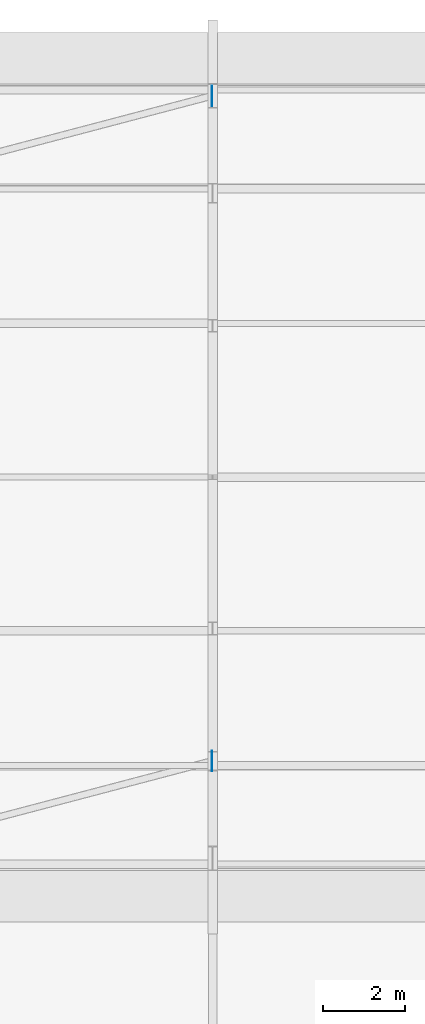
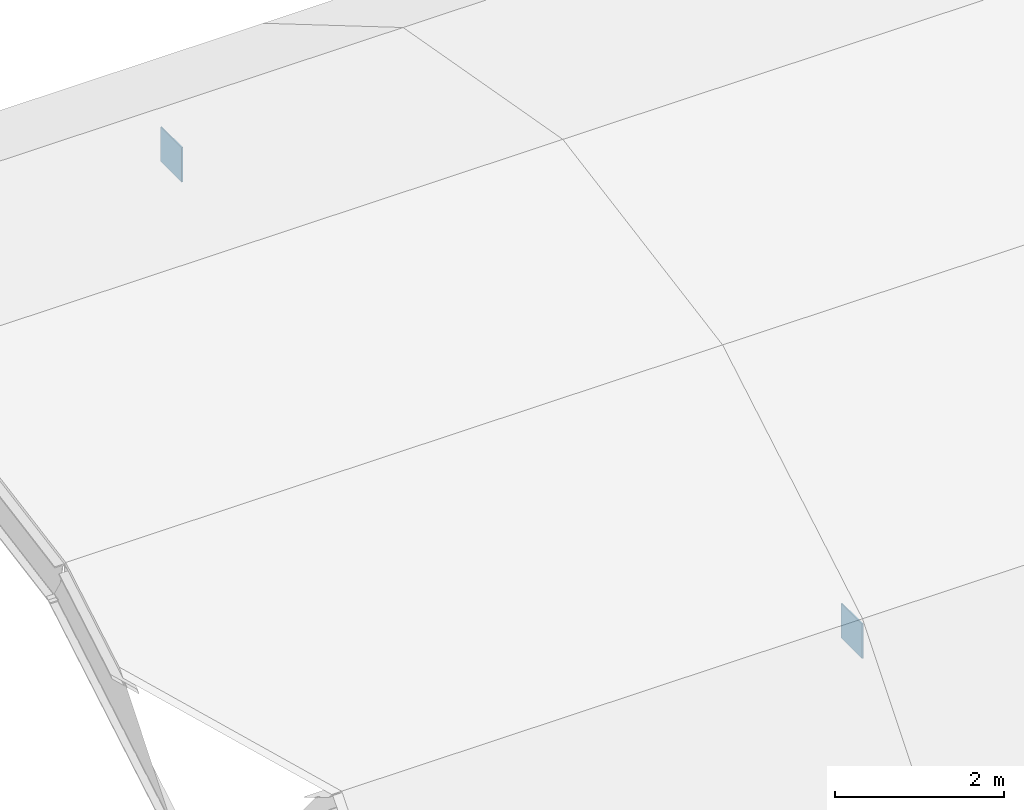
# One storey, part 10 of 15: 2 plates.
"""IFC4 building model written with IfcOpenShell, lengths in metres."""

import ifcopenshell
import ifcopenshell.guid

model = None  # the IFC model being written
_history = None  # IfcOwnerHistory: only IFC2X3 demands one
_inside = {}  # id of a spatial element -> (the spatial element, [elements in it])
_under = {}  # id of a project, library or spatial element -> (it, [spatial elements below it])
_declared = {}  # id of a project -> (the project, [libraries it declares])
_typed = {}  # id of a type object -> (the type object, [elements of that type])
_made_of = {}  # id of a material, layer set ... -> (it, [elements and type objects made of it])


def new_model(schema):
    """Start an empty IFC model of exactly this schema.

    Asked for "IFC4X3", IfcOpenShell would pick the latest addendum, in which some entities
    have other attributes; the version numbers below select the first issue.
    IFC2X3 requires an IfcOwnerHistory on every rooted entity: one is made here for all.
    """
    global model, _history
    if schema == "IFC4X3":
        model = ifcopenshell.file(schema_version=(4, 3, 0, 0))
    else:
        model = ifcopenshell.file(schema=schema)
    _inside.clear()
    _under.clear()
    _declared.clear()
    _typed.clear()
    _made_of.clear()
    _history = None
    if model.schema == "IFC2X3":
        org = make("IfcOrganization", Name="unknown")
        user = make(
            "IfcPersonAndOrganization",
            ThePerson=make("IfcPerson", FamilyName="unknown"),
            TheOrganization=org,
        )
        app = make(
            "IfcApplication",
            ApplicationDeveloper=org,
            Version="unknown",
            ApplicationFullName="unknown",
            ApplicationIdentifier="unknown",
        )
        _history = make(
            "IfcOwnerHistory",
            OwningUser=user,
            OwningApplication=app,
            ChangeAction="ADDED",
            CreationDate=0,
        )
    return model


def make(cls, **values):
    """One entity of the class cls with the attributes given. An attribute that is None is left unset."""
    return model.create_entity(
        cls, **{name: value for name, value in values.items() if value is not None}
    )


def rooted(cls, **values):
    """An entity with a GlobalId (a new one), such as an element, a storey or a relation."""
    return make(cls, GlobalId=ifcopenshell.guid.new(), OwnerHistory=_history, **values)


def si_unit(unit_type, name, prefix=None):
    """IfcSIUnit, for example si_unit("LENGTHUNIT", "METRE", prefix="MILLI")."""
    return make("IfcSIUnit", UnitType=unit_type, Prefix=prefix, Name=name)


def assignment(units):
    """IfcUnitAssignment: the units of a project."""
    return None if units is None else make("IfcUnitAssignment", Units=units)


def point(xyz):
    """IfcCartesianPoint."""
    return None if xyz is None else make("IfcCartesianPoint", Coordinates=xyz)


def direction(xyz):
    """IfcDirection."""
    return None if xyz is None else make("IfcDirection", DirectionRatios=xyz)


def frame(location, z_axis=None, x_axis=None):
    """IfcAxis2Placement3D, a coordinate frame: its origin and axes. An axis left out is left unset."""
    return make(
        "IfcAxis2Placement3D",
        Location=point(location),
        Axis=direction(z_axis),
        RefDirection=direction(x_axis),
    )


def frame_2d(location, x_axis=None):
    """IfcAxis2Placement2D, a coordinate frame in the plane: its origin and x axis."""
    return make(
        "IfcAxis2Placement2D", Location=point(location), RefDirection=direction(x_axis)
    )


def origin():
    """The frame at (0, 0, 0) with its axes left unset."""
    return frame((0.0, 0.0, 0.0))


def origin_2d():
    """The frame at (0, 0) in the plane with its x axis left unset."""
    return frame_2d((0.0, 0.0))


def place(relative_to, where):
    """IfcLocalPlacement: puts the frame where relative to a parent placement (None: the world)."""
    return make(
        "IfcLocalPlacement", PlacementRelTo=relative_to, RelativePlacement=where
    )


def context(
    kind, dimensions, precision=None, world=None, true_north=None, identifier=None
):
    """IfcGeometricRepresentationContext, for example the 3D "Model" context."""
    return make(
        "IfcGeometricRepresentationContext",
        ContextIdentifier=identifier,
        ContextType=kind,
        CoordinateSpaceDimension=dimensions,
        Precision=precision,
        WorldCoordinateSystem=world,
        TrueNorth=true_north,
    )


def subcontext(parent, identifier, kind, view, scale=None):
    """IfcGeometricRepresentationSubContext, for example "Body" below "Model"."""
    return make(
        "IfcGeometricRepresentationSubContext",
        ContextIdentifier=identifier,
        ContextType=kind,
        ParentContext=parent,
        TargetScale=scale,
        TargetView=view,
    )


def project(units=None, contexts=None):
    """IfcProject with its units and contexts."""
    return rooted(
        "IfcProject",
        Name="project",
        RepresentationContexts=contexts,
        UnitsInContext=assignment(units),
    )


def spatial(cls, under=None, at=None, **own):
    """A site, building, storey or space (cls), placed at a placement, below another one or the project."""
    s = rooted(cls, ObjectPlacement=at, **own)
    if under is not None:
        _under.setdefault(under.id(), (under, []))[1].append(s)
    return s


def profile(cls, at=None, kind="AREA", **sizes):
    """A parametric profile (cls). Its sizes go by their IFC names, for example OverallWidth=200.0."""
    return make(cls, ProfileType=kind, Position=at, **sizes)


def rectangle(**sizes):
    """IfcRectangleProfileDef."""
    return profile("IfcRectangleProfileDef", **sizes)


def extrude(swept, where, along, depth):
    """IfcExtrudedAreaSolid: the profile swept, set in the frame where, extruded along a direction by depth."""
    return make(
        "IfcExtrudedAreaSolid",
        SweptArea=swept,
        Position=where,
        ExtrudedDirection=direction(along),
        Depth=depth,
    )


def shape(context_of_items, identifier, shape_type, items):
    """IfcShapeRepresentation: the items that make up one representation, for example the "Body"."""
    return make(
        "IfcShapeRepresentation",
        ContextOfItems=context_of_items,
        RepresentationIdentifier=identifier,
        RepresentationType=shape_type,
        Items=items,
    )


def material(Name=None, Category=None):
    """IfcMaterial."""
    return make("IfcMaterial", Name=Name, Category=Category)


def layer(
    of_material, thickness, ventilated=None, Name=None, Category=None, Priority=None
):
    """IfcMaterialLayer: one layer of a wall or slab, of a material (None: an air gap)."""
    return make(
        "IfcMaterialLayer",
        Material=of_material,
        LayerThickness=thickness,
        IsVentilated=ventilated,
        Name=Name,
        Category=Category,
        Priority=Priority,
    )


def layer_set(layers, Name=None):
    """IfcMaterialLayerSet."""
    return make("IfcMaterialLayerSet", MaterialLayers=layers, LayerSetName=Name)


def made_of(thing, what):
    """Note that an element or type object is made of a material, layer set ...; save() writes the relation."""
    if what is not None:
        _made_of.setdefault(what.id(), (what, []))[1].append(thing)
    return thing


def type_object(cls, material=None, **own):
    """A type object (cls), such as IfcWallType, which elements share."""
    return made_of(rooted(cls, **own), material)


def element(
    cls,
    number,
    at=None,
    inside=None,
    cuts=None,
    type_object=None,
    material=None,
    context=None,
    identifier="Body",
    shape_type=None,
    held_by="IfcProductDefinitionShape",
    body=None,
    shapes=None,
    **own,
):
    """One element of the class cls, such as IfcWall. Its Tag is "e" and its number.

    at: its placement. inside: the storey or other place that contains it. cuts: it is an
    opening in that element (IfcRelVoidsElement). A single representation is given by context,
    identifier, shape_type and body (its items); several are given by shapes. held_by: the class
    of the entity that holds the representations. save() writes the other relations.
    """
    e = rooted(cls, Tag="e%d" % number, ObjectPlacement=at, **own)
    if body is not None:
        shapes = [shape(context, identifier, shape_type, body)]
    if shapes is not None:
        e.Representation = make(held_by, Representations=shapes)
    if inside is not None:
        _inside.setdefault(inside.id(), (inside, []))[1].append(e)
    if cuts is not None:
        rooted(
            "IfcRelVoidsElement", RelatingBuildingElement=cuts, RelatedOpeningElement=e
        )
    if type_object is not None:
        _typed.setdefault(type_object.id(), (type_object, []))[1].append(e)
    return made_of(e, material)


def aggregate(whole, parts):
    """IfcRelAggregates: a whole, such as a stair, and the parts it consists of."""
    return rooted("IfcRelAggregates", RelatingObject=whole, RelatedObjects=parts)


def save(model, path):
    """Write the relations noted so far, then the file.

    IfcRelAggregates (storeys below a building ...), IfcRelContainedInSpatialStructure (elements
    in a storey), IfcRelDefinesByType, IfcRelAssociatesMaterial and IfcRelDeclares: one each for
    every whole, place, type object, material and project.
    """
    for whole, parts in _under.values():
        aggregate(whole, parts)
    for where, things in _inside.values():
        rooted(
            "IfcRelContainedInSpatialStructure",
            RelatedElements=things,
            RelatingStructure=where,
        )
    for kind, things in _typed.values():
        rooted("IfcRelDefinesByType", RelatedObjects=things, RelatingType=kind)
    for what, things in _made_of.values():
        rooted("IfcRelAssociatesMaterial", RelatedObjects=things, RelatingMaterial=what)
    for by, libraries in _declared.values():
        rooted("IfcRelDeclares", RelatingContext=by, RelatedDefinitions=libraries)
    model.write(path)


model = new_model("IFC4")

# Units and contexts
model_context = context("Model", 3, precision=1e-05, world=origin(), true_north=direction((0.0, 1.0)))
body_context = subcontext(model_context, "Body", "Model", "MODEL_VIEW")
ifc_project = project(units=[si_unit("LENGTHUNIT", "METRE"), si_unit("AREAUNIT", "SQUARE_METRE"), si_unit("VOLUMEUNIT", "CUBIC_METRE"), si_unit("PLANEANGLEUNIT", "RADIAN"), si_unit("MASSUNIT", "GRAM", prefix="KILO")], contexts=[model_context])

# Site, building, storey
site_placement = place(None, origin())
site = spatial("IfcSite", under=ifc_project, at=site_placement, CompositionType="ELEMENT")
building_placement = place(site_placement, origin())
building = spatial("IfcBuilding", under=site, at=building_placement, Name="Cendralis Terraced Arcade", CompositionType="ELEMENT")
storey_placement = place(building_placement, frame((0.0, 0.0, 34.199951171875)))
storey = spatial("IfcBuildingStorey", under=building, at=storey_placement, Name="RF", CompositionType="ELEMENT", Elevation=34.199951171875)

# Plates
ifc_material = material(Name="Steel ASTM A572 Grade 50", Category="steel")
ifc_layer = layer(ifc_material, 0.01806640625, Name="PLT-GUS-500x500x18")
ifc_layer_set = layer_set([ifc_layer], Name="Steel ASTM A572 Grade 50")
plate_type = type_object("IfcPlateType", Name="PLT-GUS-500x500x18", PredefinedType="SHEET", material=ifc_layer_set)
for number, where, z_axis, x_axis, name in (
    (1, (76.18505859375, 42.306396484375, -9.736083984375), (0.0, 0.0, 1.0), (1.0, 0.0, 0.0), "Shopping Arcade Wind Brace End Node Plate B01-K2-2"),
    (2, (76.18505859375, 58.455810546875, -12.627197265625), (0.0, 0.0, 1.0), (1.0, 0.0, 0.0), "Shopping Arcade Wind Brace End Node Plate B01-K7-2"),
):
    element("IfcPlate", number, at=place(storey_placement, frame(where, z_axis=z_axis, x_axis=x_axis)), inside=storey, type_object=plate_type, Name=name, PredefinedType="SHEET", context=body_context, shape_type="SweptSolid", body=[
        extrude(rectangle(XDim=0.01806640625, YDim=0.5, at=origin_2d()), origin(), (0.0, 0.0, 1.0), 0.5),
    ])

save(model, "model.ifc")
